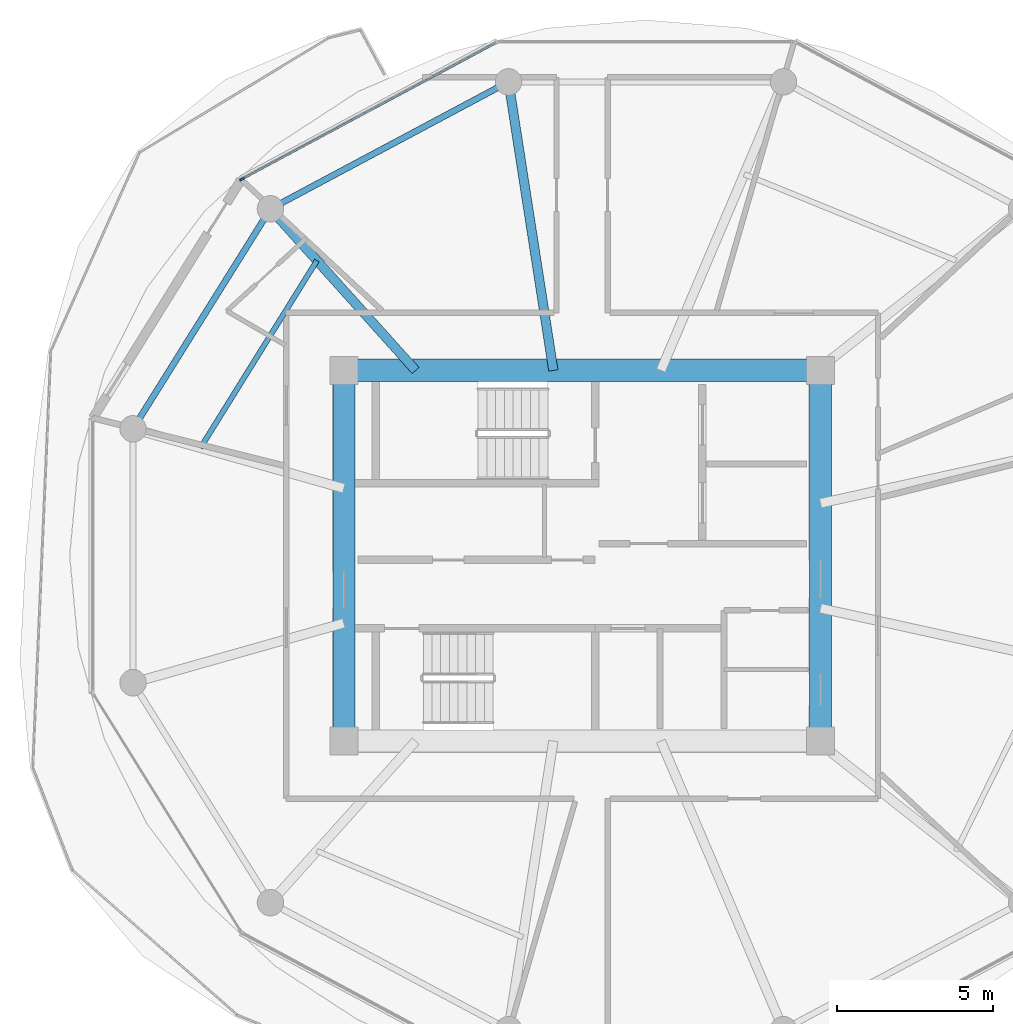
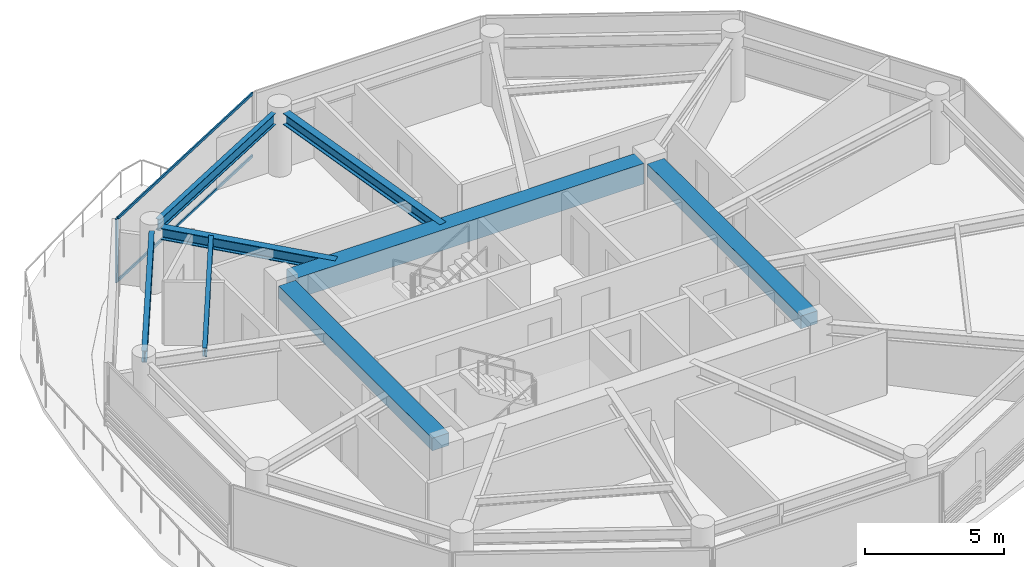
# One storey, part 4 of 22: 8 beams, 3 members, 1 element without a shape of its own.
"""IFC4 building model written with IfcOpenShell, lengths in metres."""

from ifc_helpers import new_model, si_unit, direction, frame, origin, origin_2d, place, context, subcontext, project, spatial, rectangle, i_section, extrude, source, transform, mapped, material, layer, layer_set, material_profile, profile_set, type_object, type_shapes, element, aggregate, save


model = new_model("IFC4")

# Units and contexts
model_context = context("Model", 3, precision=1e-05, world=origin(), true_north=direction((0.0, 1.0)))
body_context = subcontext(model_context, "Body", "Model", "MODEL_VIEW")
ifc_project = project(units=[si_unit("LENGTHUNIT", "METRE"), si_unit("AREAUNIT", "SQUARE_METRE"), si_unit("VOLUMEUNIT", "CUBIC_METRE"), si_unit("PLANEANGLEUNIT", "RADIAN"), si_unit("MASSUNIT", "GRAM", prefix="KILO")], contexts=[model_context])

# Site, building, storey
site_placement = place(None, origin())
site = spatial("IfcSite", under=ifc_project, at=site_placement, CompositionType="ELEMENT")
building_placement = place(site_placement, origin())
building = spatial("IfcBuilding", under=site, at=building_placement, Name="Norrkilde Senior Care Towers", CompositionType="ELEMENT")
storey_placement = place(building_placement, frame((0.0, 0.0, 96.25)))
storey = spatial("IfcBuildingStorey", under=building, at=storey_placement, Name="L29", CompositionType="ELEMENT", Elevation=96.25)

# Beams
ifc_material_1 = material(Name="Concrete C60/75", Category="concrete")
ifc_material_profile_1 = material_profile(ifc_material_1, rectangle(XDim=0.699951171875, YDim=0.89990234375, at=origin_2d()), Name="RC BM 700x900")
ifc_profile_set_1 = profile_set([ifc_material_profile_1], Name="Concrete C60/75")
beam_type_1 = type_object("IfcBeamType", Name="Core Coupling Girder 700x900", PredefinedType="USERDEFINED", material=ifc_profile_set_1)
shared_shape_1 = source(origin(), body_context, "Body", "SweptSolid", [
    extrude(rectangle(XDim=0.699951171875, YDim=0.89990234375, at=origin_2d()), origin(), (0.0, 0.0, 1.0), 14.43994140625),
])
type_shapes(beam_type_1, [shared_shape_1])
beam_1_placement = place(storey_placement, frame((-35.219970703125, 5.949951171875, 2.340087890625), z_axis=(1.0, 0.0, 0.0), x_axis=(0.0, 1.0, 0.0)))
element("IfcBeam", 1, at=beam_1_placement, inside=storey, type_object=beam_type_1, Name="L29 Core W N Coupling Girder", ObjectType="GIRDER", PredefinedType="USERDEFINED", context=body_context, shape_type="MappedRepresentation", body=[
    mapped(shared_shape_1, transform((0.0, 0.0, 0.0), x_axis=(1.0, 0.0, 0.0), y_axis=(0.0, 1.0, 0.0), z_axis=(0.0, 0.0, 1.0), scale=1.0)),
])
ifc_material_profile_2 = material_profile(ifc_material_1, rectangle(XDim=0.699951171875, YDim=0.550048828125, at=origin_2d()), Name="RC BM 700x550")
ifc_profile_set_2 = profile_set([ifc_material_profile_2], Name="Concrete C60/75")
beam_type_2 = type_object("IfcBeamType", Name="Core Portal Coupling Beam 700x550", PredefinedType="USERDEFINED", material=ifc_profile_set_2)
shared_shape_2 = source(origin(), body_context, "Body", "SweptSolid", [
    extrude(rectangle(XDim=0.699951171875, YDim=0.550048828125, at=origin_2d()), origin(), (0.0, 0.0, 1.0), 11.0400390625),
])
type_shapes(beam_type_2, [shared_shape_2])
for number, where, z_axis, x_axis, name in (
    (2, (-35.64990234375, -5.52001953125, 2.514892578125), (0.0, 1.0, 0.0), (-1.0, 0.0, 0.0), "L29 Core W W Coupling Girder"),
    (3, (-20.35009765625, -5.52001953125, 2.514892578125), (0.0, 1.0, 0.0), (-1.0, 0.0, 0.0), "L29 Core W E Coupling Girder"),
):
    element("IfcBeam", number, at=place(storey_placement, frame(where, z_axis=z_axis, x_axis=x_axis)), inside=storey, type_object=beam_type_2, Name=name, ObjectType="GIRDER", PredefinedType="USERDEFINED", context=body_context, shape_type="MappedRepresentation", body=[
        mapped(shared_shape_2, transform((0.0, 0.0, 0.0), x_axis=(1.0, 0.0, 0.0), y_axis=(0.0, 1.0, 0.0), z_axis=(0.0, 0.0, 1.0), scale=1.0)),
    ])
ifc_material_2 = material(Name="Steel S355", Category="steel")
ifc_material_profile_3 = material_profile(ifc_material_2, i_section(OverallWidth=0.199951171875, OverallDepth=0.5, WebThickness=0.01025390625, FlangeThickness=0.01611328125, FilletRadius=0.02099609375, at=origin_2d()), Name="IPE 500")
ifc_profile_set_3 = profile_set([ifc_material_profile_3], Name="Steel S355")
beam_type_3 = type_object("IfcBeamType", Name="Perimeter Ring Spandrel Z2 IPE500", PredefinedType="SPANDREL", material=ifc_profile_set_3)
shared_shape_3 = source(origin(), body_context, "Body", "SweptSolid", [
    extrude(i_section(OverallWidth=0.199951171875, OverallDepth=0.5, WebThickness=0.01025390625, FlangeThickness=0.01611328125, FilletRadius=0.02099609375, at=origin_2d()), origin(), (0.0, 0.0, 1.0), 7.892333984375),
])
beam_2_placement = place(storey_placement, frame((-30.70263671875, 15.0322265625, 2.5400390625), z_axis=(-0.882350372282, -0.47059305194, 0.0), x_axis=(0.47059305194, -0.882350372282, 0.0)))
element("IfcBeam", 4, at=beam_2_placement, inside=storey, type_object=beam_type_3, Name="L29 Drum W Perimeter Spandrel 04", PredefinedType="SPANDREL", context=body_context, shape_type="MappedRepresentation", body=[
    mapped(shared_shape_3, transform((0.0, 0.0, 0.0), x_axis=(1.0, 0.0, 0.0), y_axis=(0.0, 1.0, 0.0), z_axis=(0.0, 0.0, 1.0), scale=1.0)),
])
ifc_material_profile_4 = material_profile(ifc_material_2, i_section(OverallWidth=0.300048828125, OverallDepth=0.5, WebThickness=0.014404296875, FlangeThickness=0.028076171875, FilletRadius=0.027099609375, at=origin_2d()), Name="HEB 500")
ifc_profile_set_4 = profile_set([ifc_material_profile_4], Name="Steel S355")
beam_type_4 = type_object("IfcBeamType", Name="Radial Floor Beam Z2 HEB500", PredefinedType="BEAM", material=ifc_profile_set_4)
shared_shape_4 = source(origin(), body_context, "Body", "SweptSolid", [
    extrude(i_section(OverallWidth=0.300048828125, OverallDepth=0.5, WebThickness=0.014404296875, FlangeThickness=0.028076171875, FilletRadius=0.027099609375, at=origin_2d()), origin(), (0.0, 0.0, 1.0), 8.989501953125),
])
beam_3_placement = place(storey_placement, frame((-28.924072265625, 5.949951171875, 2.5400390625), z_axis=(-0.153471298636, 0.988153105796, 0.0), x_axis=(-0.988153105796, -0.153471298636, 0.0)))
element("IfcBeam", 5, at=beam_3_placement, inside=storey, type_object=beam_type_4, Name="L29 Drum W Radial Floor Beam 04", PredefinedType="BEAM", context=body_context, shape_type="MappedRepresentation", body=[
    mapped(shared_shape_4, transform((0.0, 0.0, 0.0), x_axis=(1.0, 0.0, 0.0), y_axis=(0.0, 1.0, 0.0), z_axis=(0.0, 0.0, 1.0), scale=1.0)),
])
shared_shape_5 = source(origin(), body_context, "Body", "SweptSolid", [
    extrude(i_section(OverallWidth=0.199951171875, OverallDepth=0.5, WebThickness=0.01025390625, FlangeThickness=0.01611328125, FilletRadius=0.02099609375, at=origin_2d()), origin(), (0.0, 0.0, 1.0), 7.556396484375),
])
type_shapes(beam_type_3, [shared_shape_3, shared_shape_5])
beam_4_placement = place(storey_placement, frame((-38.210205078125, 10.810546875, 2.5400390625), z_axis=(-0.530004748437, -0.847994673706, 0.0), x_axis=(0.847994673706, -0.530004748437, 0.0)))
element("IfcBeam", 6, at=beam_4_placement, inside=storey, type_object=beam_type_3, Name="L29 Drum W Perimeter Spandrel 05", PredefinedType="SPANDREL", context=body_context, shape_type="MappedRepresentation", body=[
    mapped(shared_shape_5, transform((0.0, 0.0, 0.0), x_axis=(1.0, 0.0, 0.0), y_axis=(0.0, 1.0, 0.0), z_axis=(0.0, 0.0, 1.0), scale=1.0)),
])
shared_shape_6 = source(origin(), body_context, "Body", "SweptSolid", [
    extrude(i_section(OverallWidth=0.300048828125, OverallDepth=0.5, WebThickness=0.014404296875, FlangeThickness=0.028076171875, FilletRadius=0.027099609375, at=origin_2d()), origin(), (0.0, 0.0, 1.0), 6.587890625),
])
type_shapes(beam_type_4, [shared_shape_4, shared_shape_6])
beam_5_placement = place(storey_placement, frame((-33.345947265625, 5.949951171875, 2.5400390625), z_axis=(-0.668315438605, 0.743877997068, 0.0), x_axis=(-0.743877997068, -0.668315438605, 0.0)))
element("IfcBeam", 7, at=beam_5_placement, inside=storey, type_object=beam_type_4, Name="L29 Drum W Radial Floor Beam 05", PredefinedType="BEAM", context=body_context, shape_type="MappedRepresentation", body=[
    mapped(shared_shape_6, transform((0.0, 0.0, 0.0), x_axis=(1.0, 0.0, 0.0), y_axis=(0.0, 1.0, 0.0), z_axis=(0.0, 0.0, 1.0), scale=1.0)),
])
ifc_material_profile_5 = material_profile(ifc_material_2, i_section(OverallWidth=0.169921875, OverallDepth=0.360107421875, WebThickness=0.008056640625, FlangeThickness=0.0126953125, FilletRadius=0.01806640625, at=origin_2d()), Name="IPE 360")
ifc_profile_set_5 = profile_set([ifc_material_profile_5], Name="Steel S355")
beam_type_5 = type_object("IfcBeamType", Name="Secondary Floor Joist IPE360", PredefinedType="JOIST", material=ifc_profile_set_5)
shared_shape_7 = source(origin(), body_context, "Body", "SweptSolid", [
    extrude(i_section(OverallWidth=0.169921875, OverallDepth=0.360107421875, WebThickness=0.008056640625, FlangeThickness=0.0126953125, FilletRadius=0.01806640625, at=origin_2d()), origin(), (0.0, 0.0, 1.0), 7.080078125),
])
type_shapes(beam_type_5, [shared_shape_7])
beam_6_placement = place(storey_placement, frame((-36.514892578125, 9.47705078125, 2.610107421875), z_axis=(-0.527961009189, -0.849268610497, 0.0), x_axis=(0.849268610497, -0.527961009189, 0.0)))
element("IfcBeam", 8, at=beam_6_placement, inside=storey, type_object=beam_type_5, Name="L29 Drum W Secondary Floor Joist 2", PredefinedType="JOIST", context=body_context, shape_type="MappedRepresentation", body=[
    mapped(shared_shape_7, transform((0.0, 0.0, 0.0), x_axis=(1.0, 0.0, 0.0), y_axis=(0.0, 1.0, 0.0), z_axis=(0.0, 0.0, 1.0), scale=1.0)),
])

# Curtain wall, members
ifc_material_3 = material(Name="Triple Low-E Insulated Glazing", Category="glass")
ifc_layer = layer(ifc_material_3, 0.195068359375)
ifc_layer_set = layer_set([ifc_layer], Name="Triple Low-E Insulated Glazing")
curtain_wall_type = type_object("IfcCurtainWallType", Name="CW3 Zone 2 Assisted Living Curtain Wall", PredefinedType="NOTDEFINED", material=ifc_layer_set)
curtain_wall_placement = place(storey_placement, origin())
curtain_wall = element("IfcCurtainWall", 9, at=curtain_wall_placement, inside=storey, type_object=curtain_wall_type, Name="L29 Drum W Curtain Wall 03", PredefinedType="NOTDEFINED")
ifc_material_4 = material(Name="Anodised Aluminium", Category="aluminium")
ifc_material_profile_6 = material_profile(ifc_material_4, rectangle(XDim=0.06494140625, YDim=0.159912109375, at=origin_2d()), Name="ALU MULL 65x160")
ifc_profile_set_6 = profile_set([ifc_material_profile_6], Name="Anodised Aluminium")
member_type_1 = type_object("IfcMemberType", Name="Curtain Wall Mullion Z1-Z2 65x160", PredefinedType="MULLION", material=ifc_profile_set_6)
shared_shape_8 = source(origin(), body_context, "Body", "SweptSolid", [
    extrude(rectangle(XDim=0.06494140625, YDim=0.159912109375, at=origin_2d()), origin(), (0.0, 0.0, 1.0), 2.7900390625),
])
type_shapes(member_type_1, [shared_shape_8])
member_1_placement = place(storey_placement, frame((-38.91796875, 12.0927734375, 0.0), z_axis=(0.0, 0.0, 1.0), x_axis=(-0.472769402511, 0.881186184668, 0.0)))
member_1 = element("IfcMember", 10, at=member_1_placement, type_object=member_type_1, Name="CW-3 mullion 1", PredefinedType="MULLION", context=body_context, shape_type="MappedRepresentation", body=[
    mapped(shared_shape_8, transform((0.0, 0.0, 0.0), x_axis=(1.0, 0.0, 0.0), y_axis=(0.0, 1.0, 0.0), z_axis=(0.0, 0.0, 1.0), scale=1.0)),
])
ifc_material_profile_7 = material_profile(ifc_material_4, rectangle(XDim=0.06005859375, YDim=0.1201171875, at=origin_2d()), Name="ALU TRAN 60x120")
ifc_profile_set_7 = profile_set([ifc_material_profile_7], Name="Anodised Aluminium")
member_type_2 = type_object("IfcMemberType", Name="Curtain Wall Transom Typical 60x120", PredefinedType="USERDEFINED", material=ifc_profile_set_7)
shared_shape_9 = source(origin(), body_context, "Body", "SweptSolid", [
    extrude(rectangle(XDim=0.06005859375, YDim=0.1201171875, at=origin_2d()), origin(), (0.0, 0.0, 1.0), 9.220458984375),
])
type_shapes(member_type_2, [shared_shape_9])
member_2_placement = place(storey_placement, frame((-38.889404296875, 12.108154296875, 0.030029296875), z_axis=(0.881188517866, 0.472765053681, 0.0), x_axis=(-0.472765053681, 0.881188517866, 0.0)))
member_2 = element("IfcMember", 11, at=member_2_placement, type_object=member_type_2, Name="CW-3 transom 1.1", ObjectType="TRANSOM", PredefinedType="USERDEFINED", context=body_context, shape_type="MappedRepresentation", body=[
    mapped(shared_shape_9, transform((0.0, 0.0, 0.0), x_axis=(1.0, 0.0, 0.0), y_axis=(0.0, 1.0, 0.0), z_axis=(0.0, 0.0, 1.0), scale=1.0)),
])
member_3_placement = place(storey_placement, frame((-38.889404296875, 12.108154296875, 2.760009765625), z_axis=(0.881188517866, 0.472765053681, 0.0), x_axis=(-0.472765053681, 0.881188517866, 0.0)))
member_3 = element("IfcMember", 12, at=member_3_placement, type_object=member_type_2, Name="CW-3 transom 1.2", ObjectType="TRANSOM", PredefinedType="USERDEFINED", context=body_context, shape_type="MappedRepresentation", body=[
    mapped(shared_shape_9, transform((0.0, 0.0, 0.0), x_axis=(1.0, 0.0, 0.0), y_axis=(0.0, 1.0, 0.0), z_axis=(0.0, 0.0, 1.0), scale=1.0)),
])
aggregate(curtain_wall, [member_1, member_2, member_3])

save(model, "model.ifc")
